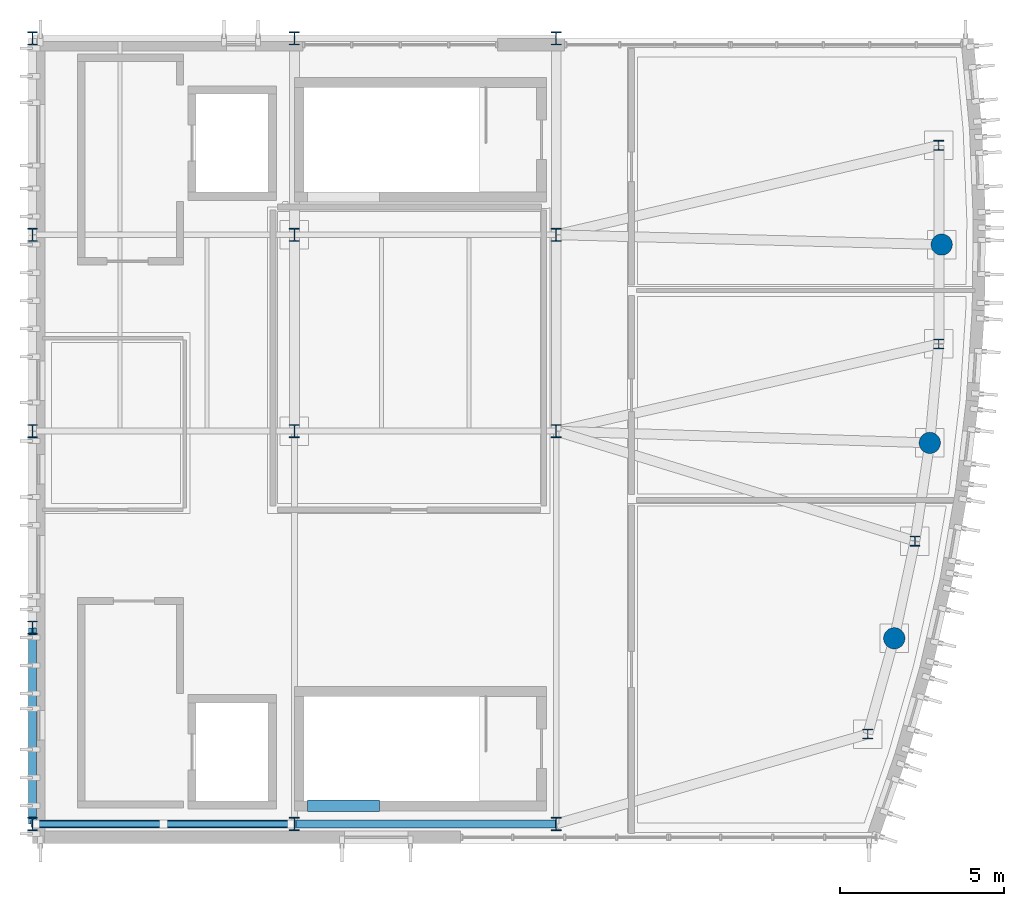
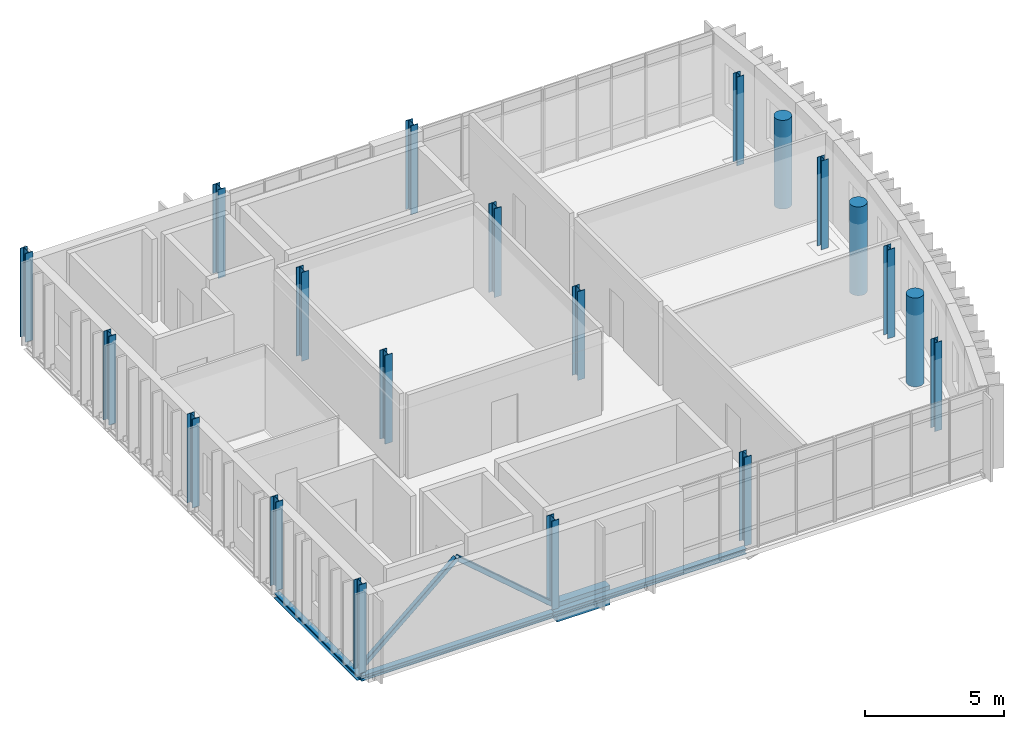
# One storey, part 1 of 9: 20 columns, 4 beams, 2 members.
"""IFC4 building model written with IfcOpenShell, lengths in metres."""

from ifc_helpers import new_model, si_unit, direction, frame, origin, origin_2d, place, context, subcontext, project, spatial, rectangle, hollow_rectangle, circle, i_section, extrude, material, material_profile, profile_set, type_object, element, save


model = new_model("IFC4")

# Units and contexts
model_context = context("Model", 3, precision=1e-05, world=origin(), true_north=direction((0.0, 1.0)))
body_context = subcontext(model_context, "Body", "Model", "MODEL_VIEW")
ifc_project = project(units=[si_unit("LENGTHUNIT", "METRE"), si_unit("AREAUNIT", "SQUARE_METRE"), si_unit("VOLUMEUNIT", "CUBIC_METRE"), si_unit("PLANEANGLEUNIT", "RADIAN"), si_unit("MASSUNIT", "GRAM", prefix="KILO")], contexts=[model_context])

# Site, building, storey
site_placement = place(None, origin())
site = spatial("IfcSite", under=ifc_project, at=site_placement, CompositionType="ELEMENT")
building_placement = place(site_placement, origin())
building = spatial("IfcBuilding", under=site, at=building_placement, Name="Cymarion Research Institute", CompositionType="ELEMENT")
storey_placement = place(building_placement, frame((0.0, 0.0, 42.300048828125)))
storey = spatial("IfcBuildingStorey", under=building, at=storey_placement, Name="L10", CompositionType="ELEMENT", Elevation=42.300048828125)

# Columns
ifc_material_1 = material(Name="Steel S355", Category="steel")
ifc_material_profile_1 = material_profile(ifc_material_1, i_section(OverallWidth=0.300048828125, OverallDepth=0.39990234375, WebThickness=0.013427734375, FlangeThickness=0.02392578125, FilletRadius=0.027099609375, at=origin_2d()), Name="HEB 400")
ifc_profile_set_1 = profile_set([ifc_material_profile_1], Name="Steel S355")
column_type_1 = type_object("IfcColumnType", Name="STRUCTURAL COLUMN C06 HEB 400", PredefinedType="COLUMN", material=ifc_profile_set_1)
for number, where, z_axis, x_axis, name in (
    (1, (138.60009765625, 5.5, 0.0), (0.0, 0.0, 1.0), (1.0, 0.0, 0.0), "L10 V1 column C06 #1317"),
    (2, (138.60009765625, 11.5, 0.0), (0.0, 0.0, 1.0), (1.0, 0.0, 0.0), "L10 V1 column C06 #1318"),
    (3, (138.60009765625, 17.5, 0.0), (0.0, 0.0, 1.0), (1.0, 0.0, 0.0), "L10 V1 column C06 #1319"),
    (4, (138.60009765625, 23.5, 0.0), (0.0, 0.0, 1.0), (1.0, 0.0, 0.0), "L10 V1 column C06 #1320"),
    (5, (138.60009765625, 29.5, 0.0), (0.0, 0.0, 1.0), (1.0, 0.0, 0.0), "L10 V1 column C06 #1321"),
    (6, (146.60009765625, 5.5, 0.0), (0.0, 0.0, 1.0), (1.0, 0.0, 0.0), "L10 V1 column C06 #1322"),
    (7, (146.60009765625, 17.5, 0.0), (0.0, 0.0, 1.0), (1.0, 0.0, 0.0), "L10 V1 column C06 #1323"),
    (8, (146.60009765625, 23.5, 0.0), (0.0, 0.0, 1.0), (1.0, 0.0, 0.0), "L10 V1 column C06 #1324"),
    (9, (146.60009765625, 29.5, 0.0), (0.0, 0.0, 1.0), (1.0, 0.0, 0.0), "L10 V1 column C06 #1325"),
    (10, (154.60009765625, 5.5, 0.0), (0.0, 0.0, 1.0), (1.0, 0.0, 0.0), "L10 V1 column C06 #1326"),
    (11, (154.60009765625, 17.5, 0.0), (0.0, 0.0, 1.0), (1.0, 0.0, 0.0), "L10 V1 column C06 #1327"),
    (12, (154.60009765625, 23.5, 0.0), (0.0, 0.0, 1.0), (1.0, 0.0, 0.0), "L10 V1 column C06 #1328"),
    (13, (154.60009765625, 29.5, 0.0), (0.0, 0.0, 1.0), (1.0, 0.0, 0.0), "L10 V1 column C06 #1329"),
):
    element("IfcColumn", number, at=place(storey_placement, frame(where, z_axis=z_axis, x_axis=x_axis)), inside=storey, type_object=column_type_1, Name=name, PredefinedType="COLUMN", context=body_context, shape_type="SweptSolid", body=[
        extrude(i_section(OverallWidth=0.300048828125, OverallDepth=0.39990234375, WebThickness=0.013427734375, FlangeThickness=0.02392578125, FilletRadius=0.027099609375, at=origin_2d()), origin(), (0.0, 0.0, 1.0), 3.89990234375),
    ])
ifc_material_profile_2 = material_profile(ifc_material_1, i_section(OverallWidth=0.300048828125, OverallDepth=0.300048828125, WebThickness=0.010986328125, FlangeThickness=0.01904296875, FilletRadius=0.027099609375, at=origin_2d()), Name="HEB 300")
ifc_profile_set_2 = profile_set([ifc_material_profile_2], Name="Steel S355")
column_type_2 = type_object("IfcColumnType", Name="STRUCTURAL COLUMN C08 HEB 300", PredefinedType="COLUMN", material=ifc_profile_set_2)
for number, where, z_axis, x_axis, name in (
    (14, (164.118896484375, 8.2470703125, 0.0), (0.0, 0.0, 1.0), (1.0, 0.0, 0.0), "L10 V1 column C08 #1330"),
    (15, (165.559814453125, 14.1416015625, 0.0), (0.0, 0.0, 1.0), (1.0, 0.0, 0.0), "L10 V1 column C08 #1332"),
    (16, (166.285400390625, 20.166015625, 0.0), (0.0, 0.0, 1.0), (1.0, 0.0, 0.0), "L10 V1 column C08 #1334"),
    (17, (166.285400390625, 26.23388671875, 0.0), (0.0, 0.0, 1.0), (1.0, 0.0, 0.0), "L10 V1 column C08 #1335"),
):
    element("IfcColumn", number, at=place(storey_placement, frame(where, z_axis=z_axis, x_axis=x_axis)), inside=storey, type_object=column_type_2, Name=name, PredefinedType="COLUMN", context=body_context, shape_type="SweptSolid", body=[
        extrude(i_section(OverallWidth=0.300048828125, OverallDepth=0.300048828125, WebThickness=0.010986328125, FlangeThickness=0.01904296875, FilletRadius=0.027099609375, at=origin_2d()), origin(), (0.0, 0.0, 1.0), 3.89990234375),
    ])
ifc_material_2 = material(Name="Concrete C40/50", Category="concrete")
ifc_material_profile_3 = material_profile(ifc_material_2, circle(Radius=0.324951171875, at=origin_2d()), Name="RC D650")
ifc_profile_set_3 = profile_set([ifc_material_profile_3], Name="Concrete C40/50")
column_type_3 = type_object("IfcColumnType", Name="STRUCTURAL COLUMN C21 RC D650", PredefinedType="COLUMN", material=ifc_profile_set_3)
for number, where, z_axis, x_axis, name in (
    (18, (164.927734375, 11.172607421875, 0.0), (0.0, 0.0, 1.0), (1.0, 0.0, 0.0), "L10 V1 column C21 #1331"),
    (19, (166.012939453125, 17.142822265625, 0.0), (0.0, 0.0, 1.0), (1.0, 0.0, 0.0), "L10 V1 column C21 #1333"),
    (20, (166.37646484375, 23.199951171875, 0.0), (0.0, 0.0, 1.0), (1.0, 0.0, 0.0), "L10 V1 column C21 #1336"),
):
    element("IfcColumn", number, at=place(storey_placement, frame(where, z_axis=z_axis, x_axis=x_axis)), inside=storey, type_object=column_type_3, Name=name, PredefinedType="COLUMN", context=body_context, shape_type="SweptSolid", body=[
        extrude(circle(Radius=0.324951171875, at=origin_2d()), origin(), (0.0, 0.0, 1.0), 3.89990234375),
    ])

# Beams
ifc_material_profile_4 = material_profile(ifc_material_2, rectangle(XDim=0.35009765625, YDim=0.85009765625, at=origin_2d()), Name="RC 350x850")
ifc_profile_set_4 = profile_set([ifc_material_profile_4], Name="Concrete C40/50")
beam_type_1 = type_object("IfcBeamType", Name="COUPLING LINTEL LN02 RC 350x850", PredefinedType="LINTEL", material=ifc_profile_set_4)
beam_1_placement = place(storey_placement, frame((147.0, 6.050048828125, -0.64501953125), z_axis=(1.0, 0.0, 0.0), x_axis=(0.0, 1.0, 0.0)))
element("IfcBeam", 21, at=beam_1_placement, inside=storey, type_object=beam_type_1, Name="L10 C1 core coupling lintel LN02", PredefinedType="LINTEL", context=body_context, shape_type="SweptSolid", body=[
    extrude(rectangle(XDim=0.35009765625, YDim=0.85009765625, at=origin_2d()), origin(), (0.0, 0.0, 1.0), 2.199951171875),
])
ifc_material_profile_5 = material_profile(ifc_material_1, i_section(OverallWidth=0.239990234375, OverallDepth=0.22998046875, WebThickness=0.007568359375, FlangeThickness=0.011962890625, FilletRadius=0.02099609375, at=origin_2d()), Name="HEA 240")
ifc_profile_set_5 = profile_set([ifc_material_profile_5], Name="Steel S355")
beam_type_2 = type_object("IfcBeamType", Name="SPANDREL BEAM SPB03 HEA 240", PredefinedType="SPANDREL", material=ifc_profile_set_5)
for number, where, z_axis, x_axis, name in (
    (22, (138.60595703125, 5.5, -0.31494140625), (1.0, 0.0, 0.0), (0.0, 1.0, 0.0), "L10 V1 girder SPB03 #2420"),
    (23, (146.60595703125, 5.5, -0.31494140625), (1.0, 0.0, 0.0), (0.0, 1.0, 0.0), "L10 V1 girder SPB03 #2421"),
):
    element("IfcBeam", number, at=place(storey_placement, frame(where, z_axis=z_axis, x_axis=x_axis)), inside=storey, type_object=beam_type_2, Name=name, PredefinedType="SPANDREL", context=body_context, shape_type="SweptSolid", body=[
        extrude(i_section(OverallWidth=0.239990234375, OverallDepth=0.22998046875, WebThickness=0.007568359375, FlangeThickness=0.011962890625, FilletRadius=0.02099609375, at=origin_2d()), origin(), (0.0, 0.0, 1.0), 7.988037109375),
    ])
beam_2_placement = place(storey_placement, frame((138.60009765625, 5.506103515625, -0.31494140625), z_axis=(0.0, 1.0, 0.0), x_axis=(-1.0, 0.0, 0.0)))
element("IfcBeam", 24, at=beam_2_placement, inside=storey, type_object=beam_type_2, Name="L10 V1 girder SPB03 #2428", PredefinedType="SPANDREL", context=body_context, shape_type="SweptSolid", body=[
    extrude(i_section(OverallWidth=0.239990234375, OverallDepth=0.22998046875, WebThickness=0.007568359375, FlangeThickness=0.011962890625, FilletRadius=0.02099609375, at=origin_2d()), origin(), (0.0, 0.0, 1.0), 5.98779296875),
])

# Members
ifc_material_profile_6 = material_profile(ifc_material_1, hollow_rectangle(XDim=0.199951171875, YDim=0.199951171875, WallThickness=0.010009765625, InnerFilletRadius=0.014892578125, OuterFilletRadius=0.02490234375, at=origin_2d()), Name="SHS 200x200x10")
ifc_profile_set_6 = profile_set([ifc_material_profile_6], Name="Steel S355")
member_type = type_object("IfcMemberType", Name="STRUCTURAL MEMBER BR07 SHS 200x200x10", PredefinedType="BRACE", material=ifc_profile_set_6)
for number, where, z_axis, x_axis, name in (
    (25, (138.615234375, 5.5, 0.119873046875), (0.758194400065, 0.0, 0.652028566637), (0.0, 1.0, 0.0), "L10 V1 seismic chevron brace BR07 #1"),
    (26, (146.584716796875, 5.5, 0.119873046875), (-0.758194400065, 0.0, 0.652028566637), (0.0, -1.0, 0.0), "L10 V1 seismic chevron brace BR07 #2"),
):
    element("IfcMember", number, at=place(storey_placement, frame(where, z_axis=z_axis, x_axis=x_axis)), inside=storey, type_object=member_type, Name=name, PredefinedType="BRACE", context=body_context, shape_type="SweptSolid", body=[
        extrude(hollow_rectangle(XDim=0.199951171875, YDim=0.199951171875, WallThickness=0.010009765625, InnerFilletRadius=0.014892578125, OuterFilletRadius=0.02490234375, at=origin_2d()), origin(), (0.0, 0.0, 1.0), 5.245361328125),
    ])

save(model, "model.ifc")
